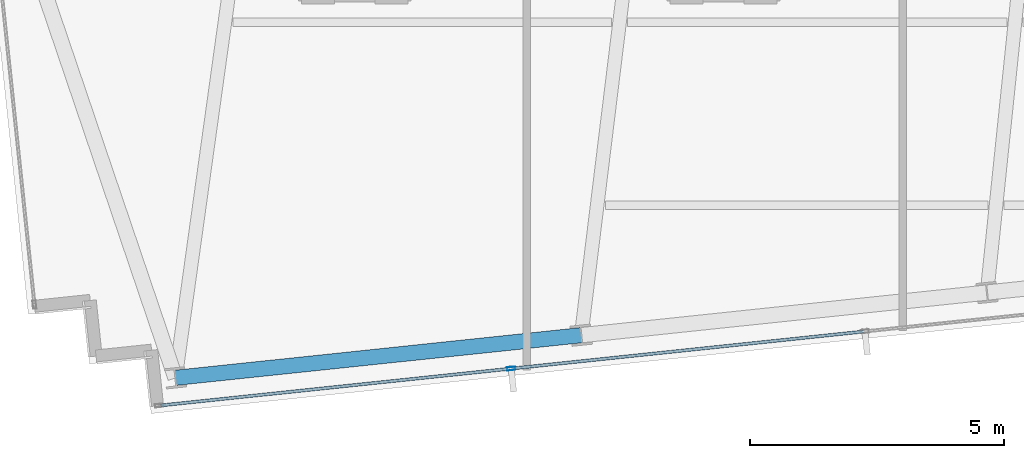
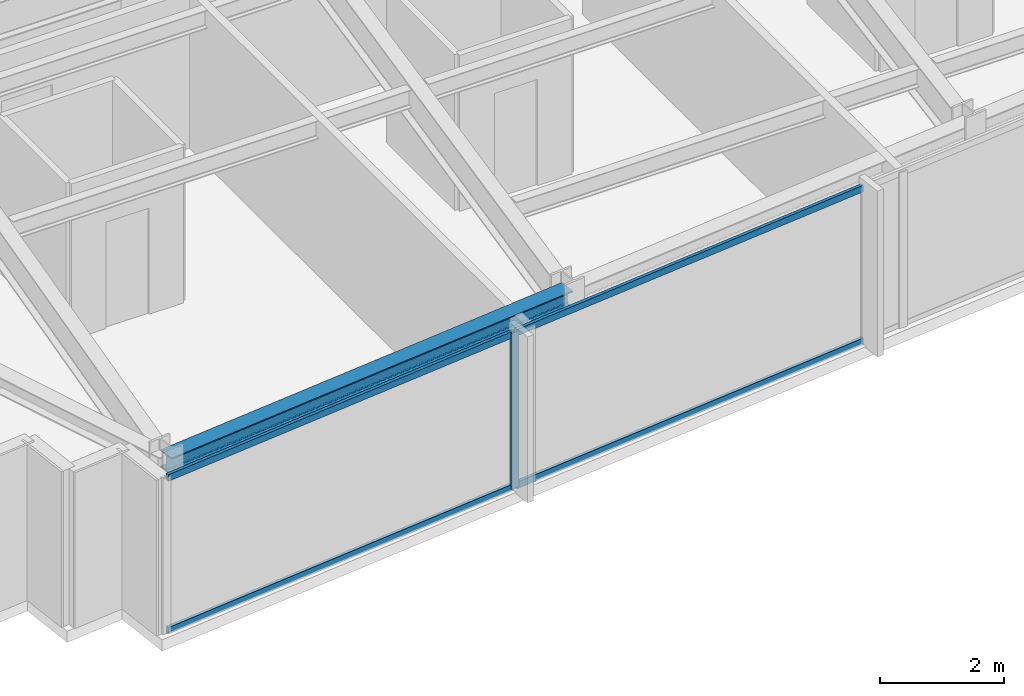
# One storey, part 3 of 33: 5 members, 1 beam, 1 element without a shape of its own.
"""IFC4 building model written with IfcOpenShell, lengths in metres."""

import ifcopenshell
import ifcopenshell.guid

model = None  # the IFC model being written
_history = None  # IfcOwnerHistory: only IFC2X3 demands one
_inside = {}  # id of a spatial element -> (the spatial element, [elements in it])
_under = {}  # id of a project, library or spatial element -> (it, [spatial elements below it])
_declared = {}  # id of a project -> (the project, [libraries it declares])
_typed = {}  # id of a type object -> (the type object, [elements of that type])
_made_of = {}  # id of a material, layer set ... -> (it, [elements and type objects made of it])


def new_model(schema):
    """Start an empty IFC model of exactly this schema.

    Asked for "IFC4X3", IfcOpenShell would pick the latest addendum, in which some entities
    have other attributes; the version numbers below select the first issue.
    IFC2X3 requires an IfcOwnerHistory on every rooted entity: one is made here for all.
    """
    global model, _history
    if schema == "IFC4X3":
        model = ifcopenshell.file(schema_version=(4, 3, 0, 0))
    else:
        model = ifcopenshell.file(schema=schema)
    _inside.clear()
    _under.clear()
    _declared.clear()
    _typed.clear()
    _made_of.clear()
    _history = None
    if model.schema == "IFC2X3":
        org = make("IfcOrganization", Name="unknown")
        user = make(
            "IfcPersonAndOrganization",
            ThePerson=make("IfcPerson", FamilyName="unknown"),
            TheOrganization=org,
        )
        app = make(
            "IfcApplication",
            ApplicationDeveloper=org,
            Version="unknown",
            ApplicationFullName="unknown",
            ApplicationIdentifier="unknown",
        )
        _history = make(
            "IfcOwnerHistory",
            OwningUser=user,
            OwningApplication=app,
            ChangeAction="ADDED",
            CreationDate=0,
        )
    return model


def make(cls, **values):
    """One entity of the class cls with the attributes given. An attribute that is None is left unset."""
    return model.create_entity(
        cls, **{name: value for name, value in values.items() if value is not None}
    )


def rooted(cls, **values):
    """An entity with a GlobalId (a new one), such as an element, a storey or a relation."""
    return make(cls, GlobalId=ifcopenshell.guid.new(), OwnerHistory=_history, **values)


def si_unit(unit_type, name, prefix=None):
    """IfcSIUnit, for example si_unit("LENGTHUNIT", "METRE", prefix="MILLI")."""
    return make("IfcSIUnit", UnitType=unit_type, Prefix=prefix, Name=name)


def assignment(units):
    """IfcUnitAssignment: the units of a project."""
    return None if units is None else make("IfcUnitAssignment", Units=units)


def point(xyz):
    """IfcCartesianPoint."""
    return None if xyz is None else make("IfcCartesianPoint", Coordinates=xyz)


def direction(xyz):
    """IfcDirection."""
    return None if xyz is None else make("IfcDirection", DirectionRatios=xyz)


def frame(location, z_axis=None, x_axis=None):
    """IfcAxis2Placement3D, a coordinate frame: its origin and axes. An axis left out is left unset."""
    return make(
        "IfcAxis2Placement3D",
        Location=point(location),
        Axis=direction(z_axis),
        RefDirection=direction(x_axis),
    )


def frame_2d(location, x_axis=None):
    """IfcAxis2Placement2D, a coordinate frame in the plane: its origin and x axis."""
    return make(
        "IfcAxis2Placement2D", Location=point(location), RefDirection=direction(x_axis)
    )


def origin():
    """The frame at (0, 0, 0) with its axes left unset."""
    return frame((0.0, 0.0, 0.0))


def origin_2d():
    """The frame at (0, 0) in the plane with its x axis left unset."""
    return frame_2d((0.0, 0.0))


def place(relative_to, where):
    """IfcLocalPlacement: puts the frame where relative to a parent placement (None: the world)."""
    return make(
        "IfcLocalPlacement", PlacementRelTo=relative_to, RelativePlacement=where
    )


def context(
    kind, dimensions, precision=None, world=None, true_north=None, identifier=None
):
    """IfcGeometricRepresentationContext, for example the 3D "Model" context."""
    return make(
        "IfcGeometricRepresentationContext",
        ContextIdentifier=identifier,
        ContextType=kind,
        CoordinateSpaceDimension=dimensions,
        Precision=precision,
        WorldCoordinateSystem=world,
        TrueNorth=true_north,
    )


def subcontext(parent, identifier, kind, view, scale=None):
    """IfcGeometricRepresentationSubContext, for example "Body" below "Model"."""
    return make(
        "IfcGeometricRepresentationSubContext",
        ContextIdentifier=identifier,
        ContextType=kind,
        ParentContext=parent,
        TargetScale=scale,
        TargetView=view,
    )


def project(units=None, contexts=None):
    """IfcProject with its units and contexts."""
    return rooted(
        "IfcProject",
        Name="project",
        RepresentationContexts=contexts,
        UnitsInContext=assignment(units),
    )


def spatial(cls, under=None, at=None, **own):
    """A site, building, storey or space (cls), placed at a placement, below another one or the project."""
    s = rooted(cls, ObjectPlacement=at, **own)
    if under is not None:
        _under.setdefault(under.id(), (under, []))[1].append(s)
    return s


def profile(cls, at=None, kind="AREA", **sizes):
    """A parametric profile (cls). Its sizes go by their IFC names, for example OverallWidth=200.0."""
    return make(cls, ProfileType=kind, Position=at, **sizes)


def hollow_rectangle(**sizes):
    """IfcRectangleHollowProfileDef."""
    return profile("IfcRectangleHollowProfileDef", **sizes)


def i_section(**sizes):
    """IfcIShapeProfileDef."""
    return profile("IfcIShapeProfileDef", **sizes)


def extrude(swept, where, along, depth):
    """IfcExtrudedAreaSolid: the profile swept, set in the frame where, extruded along a direction by depth."""
    return make(
        "IfcExtrudedAreaSolid",
        SweptArea=swept,
        Position=where,
        ExtrudedDirection=direction(along),
        Depth=depth,
    )


def shape(context_of_items, identifier, shape_type, items):
    """IfcShapeRepresentation: the items that make up one representation, for example the "Body"."""
    return make(
        "IfcShapeRepresentation",
        ContextOfItems=context_of_items,
        RepresentationIdentifier=identifier,
        RepresentationType=shape_type,
        Items=items,
    )


def material(Name=None, Category=None):
    """IfcMaterial."""
    return make("IfcMaterial", Name=Name, Category=Category)


def material_profile(
    of_material, cross_section, Name=None, Category=None, Priority=None
):
    """IfcMaterialProfile: a cross section and its material."""
    return make(
        "IfcMaterialProfile",
        Name=Name,
        Material=of_material,
        Profile=cross_section,
        Priority=Priority,
        Category=Category,
    )


def profile_set(profiles, Name=None, composite=None):
    """IfcMaterialProfileSet."""
    return make(
        "IfcMaterialProfileSet",
        Name=Name,
        MaterialProfiles=profiles,
        CompositeProfile=composite,
    )


def made_of(thing, what):
    """Note that an element or type object is made of a material, layer set ...; save() writes the relation."""
    if what is not None:
        _made_of.setdefault(what.id(), (what, []))[1].append(thing)
    return thing


def type_object(cls, material=None, **own):
    """A type object (cls), such as IfcWallType, which elements share."""
    return made_of(rooted(cls, **own), material)


def element(
    cls,
    number,
    at=None,
    inside=None,
    cuts=None,
    type_object=None,
    material=None,
    context=None,
    identifier="Body",
    shape_type=None,
    held_by="IfcProductDefinitionShape",
    body=None,
    shapes=None,
    **own,
):
    """One element of the class cls, such as IfcWall. Its Tag is "e" and its number.

    at: its placement. inside: the storey or other place that contains it. cuts: it is an
    opening in that element (IfcRelVoidsElement). A single representation is given by context,
    identifier, shape_type and body (its items); several are given by shapes. held_by: the class
    of the entity that holds the representations. save() writes the other relations.
    """
    e = rooted(cls, Tag="e%d" % number, ObjectPlacement=at, **own)
    if body is not None:
        shapes = [shape(context, identifier, shape_type, body)]
    if shapes is not None:
        e.Representation = make(held_by, Representations=shapes)
    if inside is not None:
        _inside.setdefault(inside.id(), (inside, []))[1].append(e)
    if cuts is not None:
        rooted(
            "IfcRelVoidsElement", RelatingBuildingElement=cuts, RelatedOpeningElement=e
        )
    if type_object is not None:
        _typed.setdefault(type_object.id(), (type_object, []))[1].append(e)
    return made_of(e, material)


def aggregate(whole, parts):
    """IfcRelAggregates: a whole, such as a stair, and the parts it consists of."""
    return rooted("IfcRelAggregates", RelatingObject=whole, RelatedObjects=parts)


def save(model, path):
    """Write the relations noted so far, then the file.

    IfcRelAggregates (storeys below a building ...), IfcRelContainedInSpatialStructure (elements
    in a storey), IfcRelDefinesByType, IfcRelAssociatesMaterial and IfcRelDeclares: one each for
    every whole, place, type object, material and project.
    """
    for whole, parts in _under.values():
        aggregate(whole, parts)
    for where, things in _inside.values():
        rooted(
            "IfcRelContainedInSpatialStructure",
            RelatedElements=things,
            RelatingStructure=where,
        )
    for kind, things in _typed.values():
        rooted("IfcRelDefinesByType", RelatedObjects=things, RelatingType=kind)
    for what, things in _made_of.values():
        rooted("IfcRelAssociatesMaterial", RelatedObjects=things, RelatingMaterial=what)
    for by, libraries in _declared.values():
        rooted("IfcRelDeclares", RelatingContext=by, RelatedDefinitions=libraries)
    model.write(path)


model = new_model("IFC4")

# Units and contexts
model_context = context("Model", 3, precision=1e-05, world=origin(), true_north=direction((0.0, 1.0)))
body_context = subcontext(model_context, "Body", "Model", "MODEL_VIEW")
ifc_project = project(units=[si_unit("LENGTHUNIT", "METRE"), si_unit("AREAUNIT", "SQUARE_METRE"), si_unit("VOLUMEUNIT", "CUBIC_METRE"), si_unit("PLANEANGLEUNIT", "RADIAN"), si_unit("MASSUNIT", "GRAM", prefix="KILO")], contexts=[model_context])

# Site, building, storey
site_placement = place(None, origin())
site = spatial("IfcSite", under=ifc_project, at=site_placement, CompositionType="ELEMENT")
building_placement = place(site_placement, origin())
building = spatial("IfcBuilding", under=site, at=building_placement, Name="Yelkora Congress Tower", CompositionType="ELEMENT")
storey_placement = place(building_placement, frame((0.0, 0.0, 221.0)))
storey = spatial("IfcBuildingStorey", under=building, at=storey_placement, Name="L61", CompositionType="ELEMENT", Elevation=221.0)

# Beam
ifc_material_1 = material(Name="Steel S355J2", Category="steel")
ifc_material_profile_1 = material_profile(ifc_material_1, i_section(OverallWidth=0.300048828125, OverallDepth=0.340087890625, WebThickness=0.011962890625, FlangeThickness=0.021484375, FilletRadius=0.027099609375, at=origin_2d()), Name="HEB 340")
ifc_profile_set_1 = profile_set([ifc_material_profile_1], Name="Steel S355J2")
beam_type = type_object("IfcBeamType", Name="BM-SPAN-HEB340", PredefinedType="SPANDREL", material=ifc_profile_set_1)
beam_placement = place(storey_placement, frame((21.299072265625, 12.678466796875, 2.909912109375), z_axis=(0.994520097542, 0.104545567032, 0.0), x_axis=(-0.104545567032, 0.994520097542, 0.0)))
element("IfcBeam", 1, at=beam_placement, inside=storey, type_object=beam_type, Name="L61 Perimeter Beam 3", PredefinedType="SPANDREL", context=body_context, shape_type="SweptSolid", body=[
    extrude(i_section(OverallWidth=0.300048828125, OverallDepth=0.340087890625, WebThickness=0.011962890625, FlangeThickness=0.021484375, FilletRadius=0.027099609375, at=origin_2d()), origin(), (0.0, 0.0, 1.0), 8.033203125),
])

# Curtain wall, members
ifc_material_2 = material(Name="Anodised aluminium and insulated glass", Category="aluminium")
curtain_wall_type = type_object("IfcCurtainWallType", Name="CW-SYS-B4", PredefinedType="NOTDEFINED", material=ifc_material_2)
curtain_wall_placement = place(storey_placement, origin())
curtain_wall = element("IfcCurtainWall", 2, at=curtain_wall_placement, inside=storey, type_object=curtain_wall_type, Name="L61 Unitised Curtain Wall 20", PredefinedType="NOTDEFINED")
ifc_material_3 = material(Name="Anodised aluminium 6063-T6", Category="aluminium")
ifc_material_profile_2 = material_profile(ifc_material_3, hollow_rectangle(XDim=0.06494140625, YDim=0.159912109375, WallThickness=0.00390625, at=origin_2d()), Name="ALU 65x160x4")
ifc_profile_set_2 = profile_set([ifc_material_profile_2], Name="Anodised aluminium 6063-T6")
member_type_1 = type_object("IfcMemberType", Name="MEM-ML-B4", PredefinedType="MULLION", material=ifc_profile_set_2)
member_1_placement = place(storey_placement, frame((27.9091796875, 12.860595703125, 0.0), z_axis=(0.0, 0.0, 1.0), x_axis=(0.104526664994, -0.994522084373, 0.0)))
member_1 = element("IfcMember", 3, at=member_1_placement, type_object=member_type_1, Name="CW-B4 mullion 7", PredefinedType="MULLION", context=body_context, shape_type="SweptSolid", body=[
    extrude(hollow_rectangle(XDim=0.06494140625, YDim=0.159912109375, WallThickness=0.00390625, at=origin_2d()), origin(), (0.0, 0.0, 1.0), 3.080078125),
])
ifc_material_profile_3 = material_profile(ifc_material_3, hollow_rectangle(XDim=0.06005859375, YDim=0.1298828125, WallThickness=0.00390625, at=origin_2d()), Name="ALU 60x130x4")
ifc_profile_set_3 = profile_set([ifc_material_profile_3], Name="Anodised aluminium 6063-T6")
member_type_2 = type_object("IfcMemberType", Name="MEM-TR-B4", PredefinedType="USERDEFINED", material=ifc_profile_set_3)
member_2_placement = place(storey_placement, frame((34.84130859375, 13.589111328125, 0.030029296875), z_axis=(-0.994519904787, -0.104547400648, 0.0), x_axis=(0.104547400648, -0.994519904787, 0.0)))
member_2 = element("IfcMember", 4, at=member_2_placement, type_object=member_type_2, Name="CW-B4 transom 6.1", ObjectType="TRANSOM", PredefinedType="USERDEFINED", context=body_context, shape_type="SweptSolid", body=[
    extrude(hollow_rectangle(XDim=0.06005859375, YDim=0.1298828125, WallThickness=0.00390625, at=origin_2d()), origin(), (0.0, 0.0, 1.0), 6.93798828125),
])
member_3_placement = place(storey_placement, frame((34.84130859375, 13.589111328125, 3.050048828125), z_axis=(-0.994519904787, -0.104547400648, 0.0), x_axis=(0.104547400648, -0.994519904787, 0.0)))
member_3 = element("IfcMember", 5, at=member_3_placement, type_object=member_type_2, Name="CW-B4 transom 6.2", ObjectType="TRANSOM", PredefinedType="USERDEFINED", context=body_context, shape_type="SweptSolid", body=[
    extrude(hollow_rectangle(XDim=0.06005859375, YDim=0.1298828125, WallThickness=0.00390625, at=origin_2d()), origin(), (0.0, 0.0, 1.0), 6.93798828125),
])
member_4_placement = place(storey_placement, frame((27.876708984375, 12.857177734375, 0.030029296875), z_axis=(-0.994519973075, -0.104546751053, 0.0), x_axis=(0.104546751053, -0.994519973075, 0.0)))
member_4 = element("IfcMember", 6, at=member_4_placement, type_object=member_type_2, Name="CW-B4 transom 7.1", ObjectType="TRANSOM", PredefinedType="USERDEFINED", context=body_context, shape_type="SweptSolid", body=[
    extrude(hollow_rectangle(XDim=0.06005859375, YDim=0.1298828125, WallThickness=0.00390625, at=origin_2d()), origin(), (0.0, 0.0, 1.0), 6.9052734375),
])
member_5_placement = place(storey_placement, frame((27.876708984375, 12.857177734375, 3.050048828125), z_axis=(-0.994519973075, -0.104546751053, 0.0), x_axis=(0.104546751053, -0.994519973075, 0.0)))
member_5 = element("IfcMember", 7, at=member_5_placement, type_object=member_type_2, Name="CW-B4 transom 7.2", ObjectType="TRANSOM", PredefinedType="USERDEFINED", context=body_context, shape_type="SweptSolid", body=[
    extrude(hollow_rectangle(XDim=0.06005859375, YDim=0.1298828125, WallThickness=0.00390625, at=origin_2d()), origin(), (0.0, 0.0, 1.0), 6.9052734375),
])
aggregate(curtain_wall, [member_1, member_2, member_3, member_4, member_5])

save(model, "model.ifc")
